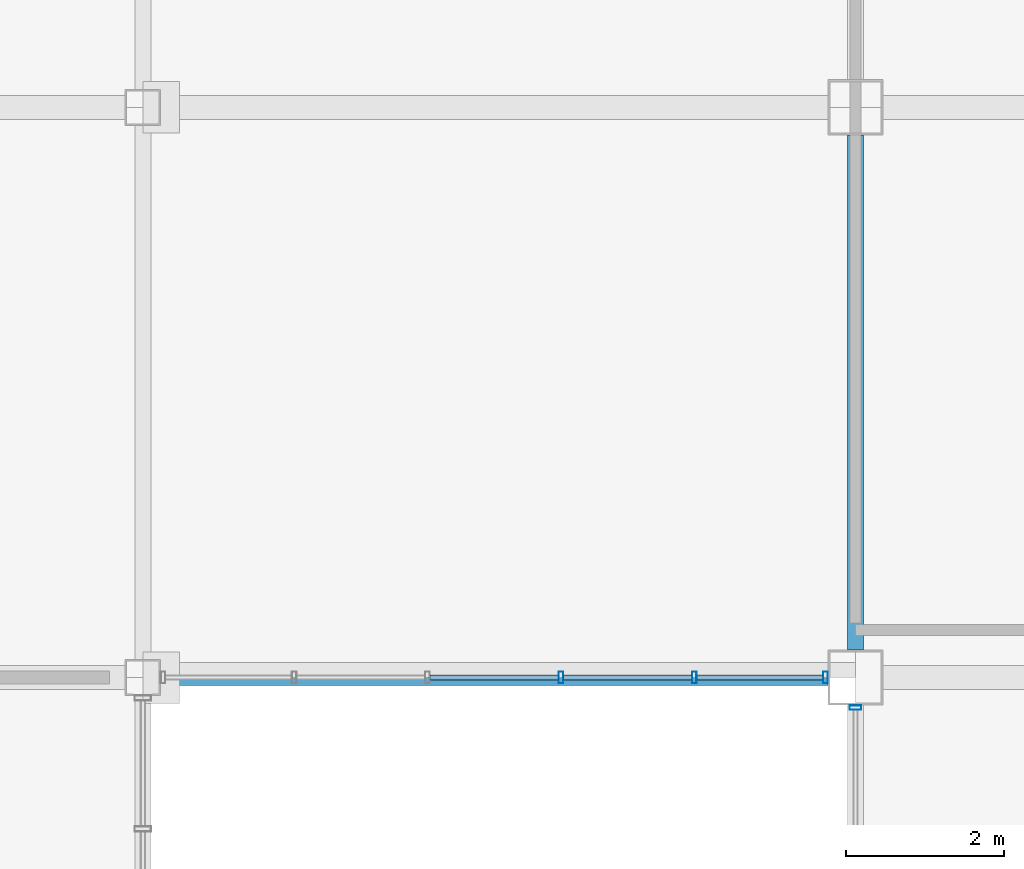
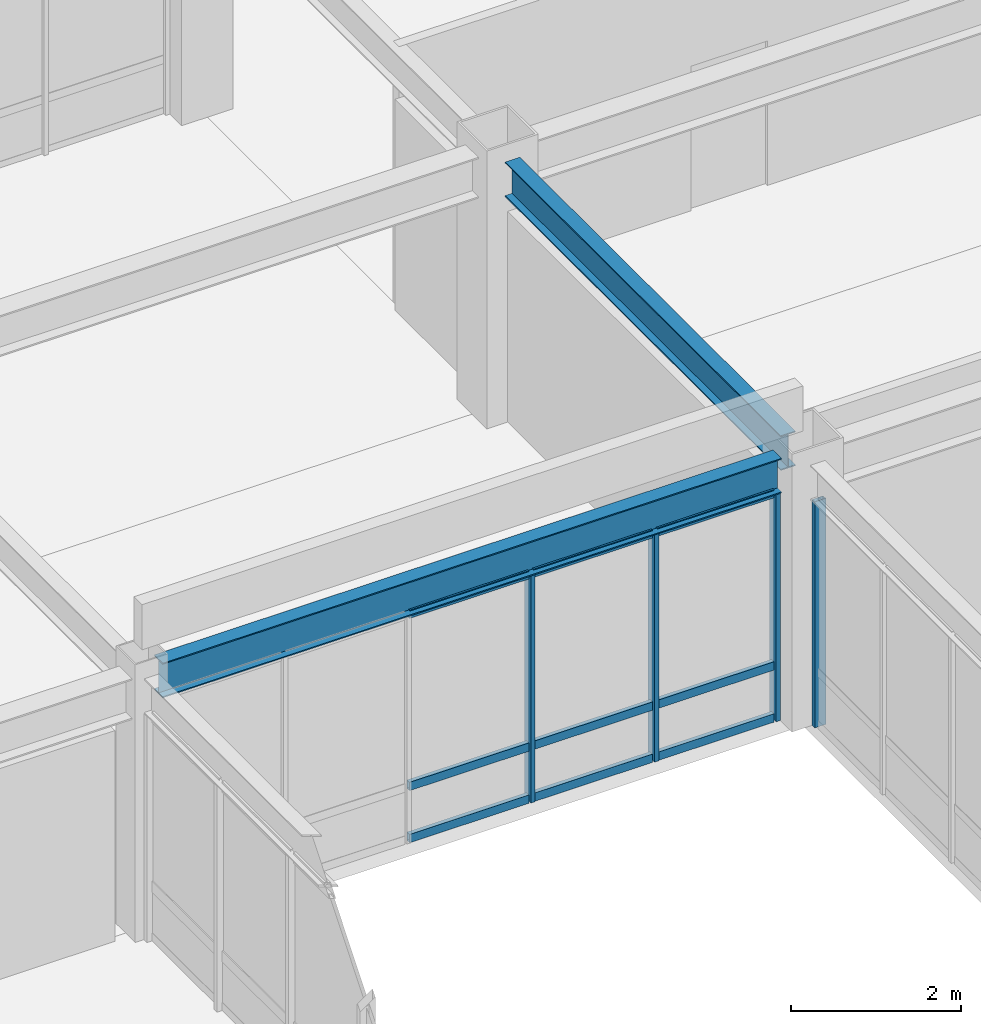
# One storey, part 79 of 122: 13 members, 2 beams, 2 elements without a shape of their own.
"""IFC4 building model written with IfcOpenShell, lengths in metres."""

from ifc_helpers import new_model, si_unit, direction, frame, origin, origin_2d, place, context, subcontext, project, spatial, hollow_rectangle, i_section, extrude, material, material_profile, profile_set, type_object, element, aggregate, save


model = new_model("IFC4")

# Units and contexts
model_context = context("Model", 3, precision=1e-05, world=origin(), true_north=direction((0.0, 1.0)))
body_context = subcontext(model_context, "Body", "Model", "MODEL_VIEW")
ifc_project = project(units=[si_unit("LENGTHUNIT", "METRE"), si_unit("AREAUNIT", "SQUARE_METRE"), si_unit("VOLUMEUNIT", "CUBIC_METRE"), si_unit("PLANEANGLEUNIT", "RADIAN"), si_unit("MASSUNIT", "GRAM", prefix="KILO")], contexts=[model_context])

# Site, building, storey
site_placement = place(None, origin())
site = spatial("IfcSite", under=ifc_project, at=site_placement, CompositionType="ELEMENT")
building_placement = place(site_placement, origin())
building = spatial("IfcBuilding", under=site, at=building_placement, Name="Kazanami Central Library", CompositionType="ELEMENT")
storey_placement = place(building_placement, frame((0.0, 0.0, 4.800048828125)))
storey = spatial("IfcBuildingStorey", under=building, at=storey_placement, Name="L02", CompositionType="ELEMENT", Elevation=4.800048828125)

# Beams
ifc_material_1 = material(Name="Steel SN490B (325 MPa)", Category="steel")
ifc_material_profile_1 = material_profile(ifc_material_1, i_section(OverallWidth=0.199951171875, OverallDepth=0.5, WebThickness=0.010009765625, FlangeThickness=0.01611328125, at=origin_2d()), Name="H-500x200x10x16")
ifc_profile_set_1 = profile_set([ifc_material_profile_1], Name="Steel SN490B (325 MPa)")
beam_type_1 = type_object("IfcBeamType", Name="BM-G-Y2", PredefinedType="BEAM", material=ifc_profile_set_1)
beam_1_placement = place(storey_placement, frame((117.0, 65.14794921875, 3.5048828125), z_axis=(0.0, 1.0, 0.0), x_axis=(-1.0, 0.0, 0.0)))
element("IfcBeam", 1, at=beam_1_placement, inside=storey, type_object=beam_type_1, Name="Girder G-Y2 L02 14/K-L", PredefinedType="BEAM", context=body_context, shape_type="SweptSolid", body=[
    extrude(i_section(OverallWidth=0.199951171875, OverallDepth=0.5, WebThickness=0.010009765625, FlangeThickness=0.01611328125, at=origin_2d()), origin(), (0.0, 0.0, 1.0), 6.504150390625),
])
ifc_material_profile_2 = material_profile(ifc_material_1, i_section(OverallWidth=0.199951171875, OverallDepth=0.5, WebThickness=0.010009765625, FlangeThickness=0.01611328125, at=origin_2d()), Name="H-500x200x10x16")
ifc_profile_set_2 = profile_set([ifc_material_profile_2], Name="Steel SN490B (325 MPa)")
beam_type_2 = type_object("IfcBeamType", Name="BM-SP-1", PredefinedType="SPANDREL", material=ifc_profile_set_2)
beam_2_placement = place(storey_placement, frame((108.222900390625, 64.800048828125, 3.5400390625), z_axis=(1.0, 0.0, 0.0), x_axis=(0.0, 1.0, 0.0)))
element("IfcBeam", 2, at=beam_2_placement, inside=storey, type_object=beam_type_2, Name="Covered Link Bridge Girder SP-1 L02 K/13-14", PredefinedType="SPANDREL", context=body_context, shape_type="SweptSolid", body=[
    extrude(i_section(OverallWidth=0.199951171875, OverallDepth=0.5, WebThickness=0.010009765625, FlangeThickness=0.01611328125, at=origin_2d()), origin(), (0.0, 0.0, 1.0), 8.42919921875),
])

# Curtain wall, members
ifc_material_2 = material(Name="Acid-Etched Low-E Laminated Glass", Category="glass")
curtain_wall_type_1 = type_object("IfcCurtainWallType", Name="CW-8425x3290-M180", PredefinedType="USERDEFINED", material=ifc_material_2)
curtain_wall_1_placement = place(storey_placement, origin())
curtain_wall_1 = element("IfcCurtainWall", 3, at=curtain_wall_1_placement, inside=storey, type_object=curtain_wall_type_1, Name="Covered Link Bridge Curtain Wall CW-18 L02 S-K-12", ObjectType="UNITISED CURTAIN WALL", PredefinedType="USERDEFINED")
ifc_material_3 = material(Name="Anodised Aluminium A6063-T5", Category="aluminium")
ifc_material_profile_3 = material_profile(ifc_material_3, hollow_rectangle(XDim=0.06005859375, YDim=0.14990234375, WallThickness=0.00390625, at=origin_2d()), Name="ALU-MULL-60x150x4")
ifc_profile_set_3 = profile_set([ifc_material_profile_3], Name="Anodised Aluminium A6063-T5")
member_type_1 = type_object("IfcMemberType", Name="MEM-CW-M3", PredefinedType="MULLION", material=ifc_profile_set_3)
member_1_placement = place(storey_placement, frame((113.280029296875, 64.800048828125, 0.0), z_axis=(0.0, 0.0, 1.0), x_axis=(1.0, 0.0, 0.0)))
member_1 = element("IfcMember", 4, at=member_1_placement, type_object=member_type_1, Name="CW-18 mullion 4", PredefinedType="MULLION", context=body_context, shape_type="SweptSolid", body=[
    extrude(hollow_rectangle(XDim=0.06005859375, YDim=0.14990234375, WallThickness=0.00390625, at=origin_2d()), origin(), (0.0, 0.0, 1.0), 3.2900390625),
])
member_2_placement = place(storey_placement, frame((114.965087890625, 64.800048828125, 0.0), z_axis=(0.0, 0.0, 1.0), x_axis=(1.0, 0.0, 0.0)))
member_2 = element("IfcMember", 5, at=member_2_placement, type_object=member_type_1, Name="CW-18 mullion 5", PredefinedType="MULLION", context=body_context, shape_type="SweptSolid", body=[
    extrude(hollow_rectangle(XDim=0.06005859375, YDim=0.14990234375, WallThickness=0.00390625, at=origin_2d()), origin(), (0.0, 0.0, 1.0), 3.2900390625),
])
member_3_placement = place(storey_placement, frame((116.6201171875, 64.800048828125, 0.0), z_axis=(0.0, 0.0, 1.0), x_axis=(1.0, 0.0, 0.0)))
member_3 = element("IfcMember", 6, at=member_3_placement, type_object=member_type_1, Name="CW-18 mullion 6", PredefinedType="MULLION", context=body_context, shape_type="SweptSolid", body=[
    extrude(hollow_rectangle(XDim=0.06005859375, YDim=0.14990234375, WallThickness=0.00390625, at=origin_2d()), origin(), (0.0, 0.0, 1.0), 3.2900390625),
])

# Curtain wall, member
curtain_wall_type_2 = type_object("IfcCurtainWallType", Name="CW-6500x3255-M180", PredefinedType="USERDEFINED", material=ifc_material_2)
curtain_wall_2_placement = place(storey_placement, origin())
curtain_wall_2 = element("IfcCurtainWall", 7, at=curtain_wall_2_placement, inside=storey, type_object=curtain_wall_type_2, Name="Covered Link Bridge Curtain Wall CW-23 L02 W-14-08", ObjectType="UNITISED CURTAIN WALL", PredefinedType="USERDEFINED")
member_4_placement = place(storey_placement, frame((117.0, 64.419921875, 0.0), z_axis=(0.0, 0.0, 1.0), x_axis=(0.0, 1.0, 0.0)))
member_4 = element("IfcMember", 8, at=member_4_placement, type_object=member_type_1, Name="CW-23 mullion 5", PredefinedType="MULLION", context=body_context, shape_type="SweptSolid", body=[
    extrude(hollow_rectangle(XDim=0.06005859375, YDim=0.14990234375, WallThickness=0.00390625, at=origin_2d()), origin(), (0.0, 0.0, 1.0), 3.2548828125),
])
aggregate(curtain_wall_2, [member_4])

# Member
ifc_material_profile_4 = material_profile(ifc_material_3, hollow_rectangle(XDim=0.06005859375, YDim=0.1201171875, WallThickness=0.00341796875, at=origin_2d()), Name="ALU-TRAN-60x120x3.5")
ifc_profile_set_4 = profile_set([ifc_material_profile_4], Name="Anodised Aluminium A6063-T5")
member_type_2 = type_object("IfcMemberType", Name="MEM-CW-T3", PredefinedType="USERDEFINED", material=ifc_profile_set_4)
member_5_placement = place(storey_placement, frame((111.625, 64.800048828125, 0.030029296875), z_axis=(1.0, 0.0, 0.0), x_axis=(0.0, 1.0, 0.0)))
member_5 = element("IfcMember", 9, at=member_5_placement, type_object=member_type_2, Name="CW-18 transom 3.1", ObjectType="TRANSOM", PredefinedType="USERDEFINED", context=body_context, shape_type="SweptSolid", body=[
    extrude(hollow_rectangle(XDim=0.06005859375, YDim=0.1201171875, WallThickness=0.00341796875, at=origin_2d()), origin(), (0.0, 0.0, 1.0), 1.625),
])

member_6_placement = place(storey_placement, frame((111.625, 64.800048828125, 0.780029296875), z_axis=(1.0, 0.0, 0.0), x_axis=(0.0, 1.0, 0.0)))
member_6 = element("IfcMember", 10, at=member_6_placement, type_object=member_type_2, Name="CW-18 transom 3.2", ObjectType="TRANSOM", PredefinedType="USERDEFINED", context=body_context, shape_type="SweptSolid", body=[
    extrude(hollow_rectangle(XDim=0.06005859375, YDim=0.1201171875, WallThickness=0.00341796875, at=origin_2d()), origin(), (0.0, 0.0, 1.0), 1.625),
])

member_7_placement = place(storey_placement, frame((111.625, 64.800048828125, 3.260009765625), z_axis=(1.0, 0.0, 0.0), x_axis=(0.0, 1.0, 0.0)))
member_7 = element("IfcMember", 11, at=member_7_placement, type_object=member_type_2, Name="CW-18 transom 3.3", ObjectType="TRANSOM", PredefinedType="USERDEFINED", context=body_context, shape_type="SweptSolid", body=[
    extrude(hollow_rectangle(XDim=0.06005859375, YDim=0.1201171875, WallThickness=0.00341796875, at=origin_2d()), origin(), (0.0, 0.0, 1.0), 1.625),
])

member_8_placement = place(storey_placement, frame((113.31005859375, 64.800048828125, 0.030029296875), z_axis=(1.0, 0.0, 0.0), x_axis=(0.0, 1.0, 0.0)))
member_8 = element("IfcMember", 12, at=member_8_placement, type_object=member_type_2, Name="CW-18 transom 4.1", ObjectType="TRANSOM", PredefinedType="USERDEFINED", context=body_context, shape_type="SweptSolid", body=[
    extrude(hollow_rectangle(XDim=0.06005859375, YDim=0.1201171875, WallThickness=0.00341796875, at=origin_2d()), origin(), (0.0, 0.0, 1.0), 1.625),
])

member_9_placement = place(storey_placement, frame((113.31005859375, 64.800048828125, 0.780029296875), z_axis=(1.0, 0.0, 0.0), x_axis=(0.0, 1.0, 0.0)))
member_9 = element("IfcMember", 13, at=member_9_placement, type_object=member_type_2, Name="CW-18 transom 4.2", ObjectType="TRANSOM", PredefinedType="USERDEFINED", context=body_context, shape_type="SweptSolid", body=[
    extrude(hollow_rectangle(XDim=0.06005859375, YDim=0.1201171875, WallThickness=0.00341796875, at=origin_2d()), origin(), (0.0, 0.0, 1.0), 1.625),
])

member_10_placement = place(storey_placement, frame((113.31005859375, 64.800048828125, 3.260009765625), z_axis=(1.0, 0.0, 0.0), x_axis=(0.0, 1.0, 0.0)))
member_10 = element("IfcMember", 14, at=member_10_placement, type_object=member_type_2, Name="CW-18 transom 4.3", ObjectType="TRANSOM", PredefinedType="USERDEFINED", context=body_context, shape_type="SweptSolid", body=[
    extrude(hollow_rectangle(XDim=0.06005859375, YDim=0.1201171875, WallThickness=0.00341796875, at=origin_2d()), origin(), (0.0, 0.0, 1.0), 1.625),
])

member_11_placement = place(storey_placement, frame((114.9951171875, 64.800048828125, 0.030029296875), z_axis=(1.0, 0.0, 0.0), x_axis=(0.0, 1.0, 0.0)))
member_11 = element("IfcMember", 15, at=member_11_placement, type_object=member_type_2, Name="CW-18 transom 5.1", ObjectType="TRANSOM", PredefinedType="USERDEFINED", context=body_context, shape_type="SweptSolid", body=[
    extrude(hollow_rectangle(XDim=0.06005859375, YDim=0.1201171875, WallThickness=0.00341796875, at=origin_2d()), origin(), (0.0, 0.0, 1.0), 1.594970703125),
])

member_12_placement = place(storey_placement, frame((114.9951171875, 64.800048828125, 0.780029296875), z_axis=(1.0, 0.0, 0.0), x_axis=(0.0, 1.0, 0.0)))
member_12 = element("IfcMember", 16, at=member_12_placement, type_object=member_type_2, Name="CW-18 transom 5.2", ObjectType="TRANSOM", PredefinedType="USERDEFINED", context=body_context, shape_type="SweptSolid", body=[
    extrude(hollow_rectangle(XDim=0.06005859375, YDim=0.1201171875, WallThickness=0.00341796875, at=origin_2d()), origin(), (0.0, 0.0, 1.0), 1.594970703125),
])

member_13_placement = place(storey_placement, frame((114.9951171875, 64.800048828125, 3.260009765625), z_axis=(1.0, 0.0, 0.0), x_axis=(0.0, 1.0, 0.0)))
member_13 = element("IfcMember", 17, at=member_13_placement, type_object=member_type_2, Name="CW-18 transom 5.3", ObjectType="TRANSOM", PredefinedType="USERDEFINED", context=body_context, shape_type="SweptSolid", body=[
    extrude(hollow_rectangle(XDim=0.06005859375, YDim=0.1201171875, WallThickness=0.00341796875, at=origin_2d()), origin(), (0.0, 0.0, 1.0), 1.594970703125),
])

aggregate(curtain_wall_1, [member_1, member_2, member_3, member_5, member_6, member_7, member_8, member_9, member_10, member_11, member_12, member_13])

save(model, "model.ifc")
